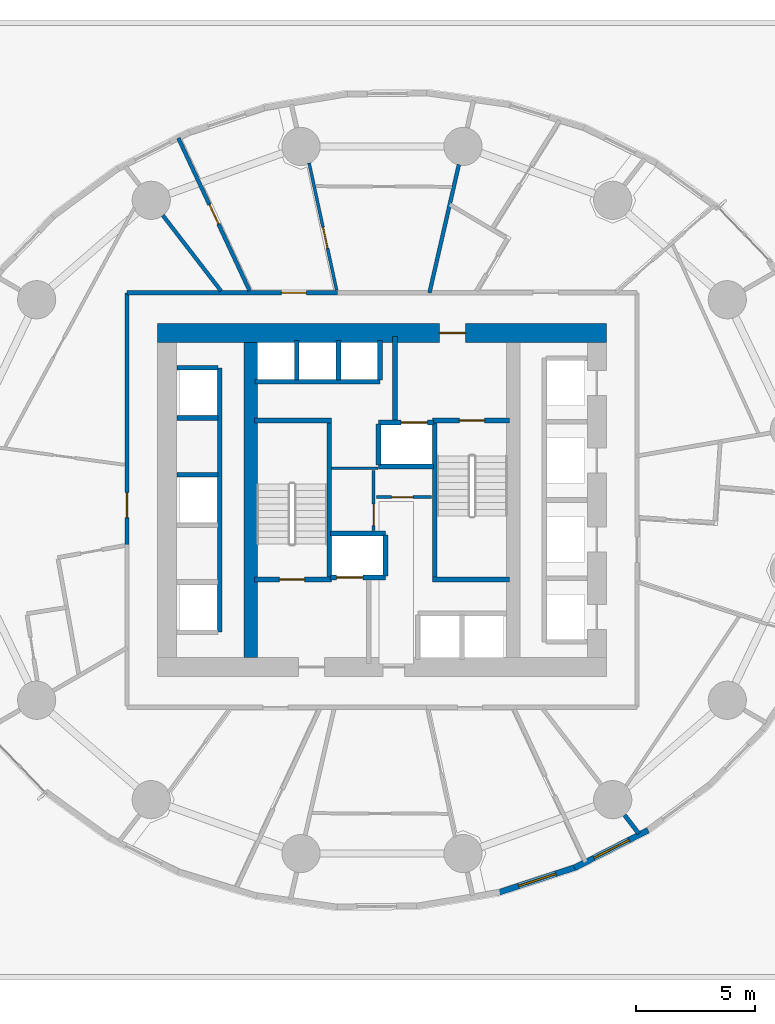
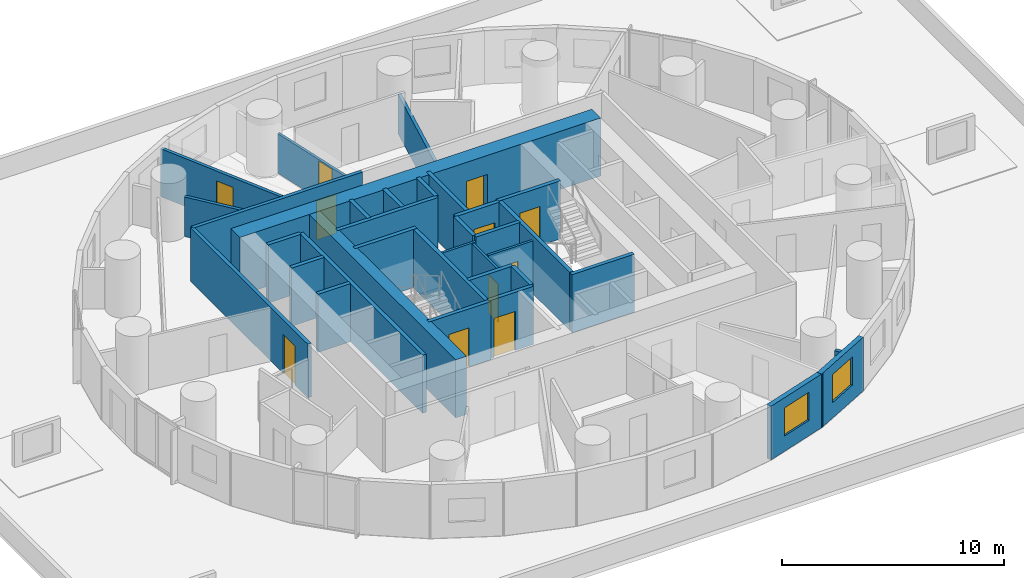
# One storey, part 7 of 12: 35 walls, 11 doors, 2 windows, 13 openings.
"""IFC4 building model written with IfcOpenShell, lengths in metres."""

from ifc_helpers import new_model, si_unit, direction, frame, frame_2d, origin, place, context, subcontext, project, spatial, rectangle, extrude, material, layer, layer_set, type_object, element, fill, save


model = new_model("IFC4")

# Units and contexts
model_context = context("Model", 3, precision=1e-05, world=origin(), true_north=direction((0.0, 1.0)))
body_context = subcontext(model_context, "Body", "Model", "MODEL_VIEW")
ifc_project = project(units=[si_unit("LENGTHUNIT", "METRE"), si_unit("AREAUNIT", "SQUARE_METRE"), si_unit("VOLUMEUNIT", "CUBIC_METRE"), si_unit("PLANEANGLEUNIT", "RADIAN"), si_unit("MASSUNIT", "GRAM", prefix="KILO")], contexts=[model_context])

# Site, building, storey
site_placement = place(None, origin())
site = spatial("IfcSite", under=ifc_project, at=site_placement, CompositionType="ELEMENT")
building_placement = place(site_placement, origin())
building = spatial("IfcBuilding", under=site, at=building_placement, Name="Veldorim Arch Residences", CompositionType="ELEMENT")
storey_placement = place(building_placement, frame((0.0, 0.0, 24.800048828125)))
storey = spatial("IfcBuildingStorey", under=building, at=storey_placement, Name="L06", CompositionType="ELEMENT", Elevation=24.800048828125)

# Wall, opening, door
ifc_material_1 = material(Name="Acoustic Gypsum Board", Category="gypsum")
ifc_layer_1 = layer(ifc_material_1, 0.125, Name="Acoustic Stud Room Partition Wall 125")
ifc_layer_set_1 = layer_set([ifc_layer_1], Name="Acoustic Gypsum Board")
wall_type_1 = type_object("IfcWallType", Name="Acoustic Stud Room Partition Wall 125", PredefinedType="PARTITIONING", material=ifc_layer_set_1)
wall_1_placement = place(storey_placement, frame((31.64990234375, 22.719970703125, 0.0), z_axis=(0.0, 0.0, 1.0), x_axis=(0.0, 1.0, 0.0)))
wall_1 = element("IfcWall", 1, at=wall_1_placement, inside=storey, type_object=wall_type_1, Name="L06 interior wall WL-CA-L06-1", PredefinedType="PARTITIONING", context=body_context, shape_type="SweptSolid", body=[
    extrude(rectangle(XDim=2.52001953125, YDim=0.125, at=frame_2d((1.260009765625, 0.0))), origin(), (0.0, 0.0, 1.0), 2.954833984375),
])
opening_1_placement = place(wall_1_placement, frame((0.2099609375, 0.0, 0.0)))
opening_1 = element("IfcOpeningElement", 2, at=opening_1_placement, cuts=wall_1, Name="Opening DR-SVC", PredefinedType="OPENING", context=body_context, shape_type="SweptSolid", body=[
    extrude(rectangle(XDim=0.89990234375, YDim=2.10009765625, at=frame_2d((0.449951171875, 1.050048828125))), frame((0.0, 0.072509765625, 0.0), z_axis=(0.0, -1.0, 0.0), x_axis=(1.0, 0.0, 0.0)), (0.0, 0.0, 1.0), 0.14501953125),
])
ifc_material_2 = material(Name="Fire-Rated Steel", Category="steel")
door_type_1 = type_object("IfcDoorType", Name="Riser, Shelter & Plant Room Rated Steel Door 900x2100", OperationType="SINGLE_SWING_LEFT", PredefinedType="DOOR", material=ifc_material_2)
door_1_placement = place(opening_1_placement, origin())
door_1 = element("IfcDoor", 3, at=door_1_placement, inside=storey, type_object=door_type_1, Name="L06 interior door DR-L06-CA1", OperationType="SINGLE_SWING_LEFT", OverallHeight=2.10009765625, OverallWidth=0.89990234375, PredefinedType="DOOR", context=body_context, shape_type="SweptSolid", body=[
    extrude(rectangle(XDim=0.89990234375, YDim=2.10009765625, at=frame_2d((0.449951171875, 1.050048828125))), frame((0.0, 0.02490234375, 0.0), z_axis=(0.0, -1.0, 0.0), x_axis=(1.0, 0.0, 0.0)), (0.0, 0.0, 1.0), 0.050048828125),
])
fill(opening_1, door_1)

wall_2_placement = place(storey_placement, frame((31.760009765625, 24.1201171875, 0.0), z_axis=(0.0, 0.0, 1.0), x_axis=(1.0, 0.0, 0.0)))
wall_2 = element("IfcWall", 4, at=wall_2_placement, inside=storey, type_object=wall_type_1, Name="L06 interior wall WL-CA-L06-2", PredefinedType="PARTITIONING", context=body_context, shape_type="SweptSolid", body=[
    extrude(rectangle(XDim=2.320068359375, YDim=0.125, at=frame_2d((1.16015625, 0.0))), origin(), (0.0, 0.0, 1.0), 2.954833984375),
])
opening_2_placement = place(wall_2_placement, frame((0.639892578125, 0.0, 0.0)))
opening_2 = element("IfcOpeningElement", 5, at=opening_2_placement, cuts=wall_2, Name="Opening DR-SVC", PredefinedType="OPENING", context=body_context, shape_type="SweptSolid", body=[
    extrude(rectangle(XDim=0.89990234375, YDim=2.10009765625, at=frame_2d((0.449951171875, 1.050048828125))), frame((0.0, 0.072509765625, 0.0), z_axis=(0.0, -1.0, 0.0), x_axis=(1.0, 0.0, 0.0)), (0.0, 0.0, 1.0), 0.14501953125),
])
door_2_placement = place(opening_2_placement, origin())
door_2 = element("IfcDoor", 6, at=door_2_placement, inside=storey, type_object=door_type_1, Name="L06 interior door DR-L06-CA2", OperationType="SINGLE_SWING_RIGHT", OverallHeight=2.10009765625, OverallWidth=0.89990234375, PredefinedType="DOOR", context=body_context, shape_type="SweptSolid", body=[
    extrude(rectangle(XDim=0.89990234375, YDim=2.10009765625, at=frame_2d((0.449951171875, 1.050048828125))), frame((0.0, 0.02490234375, 0.0), z_axis=(0.0, -1.0, 0.0), x_axis=(1.0, 0.0, 0.0)), (0.0, 0.0, 1.0), 0.050048828125),
])
fill(opening_2, door_2)

# Wall
wall_3_placement = place(storey_placement, frame((29.889892578125, 25.330078125, 0.0), z_axis=(0.0, 0.0, 1.0), x_axis=(1.0, 0.0, 0.0)))
element("IfcWall", 7, at=wall_3_placement, inside=storey, type_object=wall_type_1, Name="L06 interior wall WL-CA-L06-N", PredefinedType="PARTITIONING", context=body_context, shape_type="SweptSolid", body=[
    extrude(rectangle(XDim=1.940185546875, YDim=0.125, at=frame_2d((0.97021484375, 0.0))), origin(), (0.0, 0.0, 1.0), 2.954833984375),
])

# Wall, opening, door
wall_4_placement = place(storey_placement, frame((28.94580078125, 38.120849609375, 0.0), z_axis=(0.0, 0.0, 1.0), x_axis=(0.211435796324, -0.977391888667, 0.0)))
wall_4 = element("IfcWall", 8, at=wall_4_placement, inside=storey, type_object=wall_type_1, Name="L06 interior wall WL-RES-L06-029", PredefinedType="PARTITIONING", context=body_context, shape_type="SweptSolid", body=[
    extrude(rectangle(XDim=5.446533203125, YDim=0.125, at=frame_2d((2.72314453125, 0.0))), origin(), (0.0, 0.0, 1.0), 2.17822265625),
])
opening_3_placement = place(wall_4_placement, frame((2.76171875, 0.0, 0.0)))
opening_3 = element("IfcOpeningElement", 9, at=opening_3_placement, cuts=wall_4, Name="Opening DR-INT", PredefinedType="OPENING", context=body_context, shape_type="SweptSolid", body=[
    extrude(rectangle(XDim=0.89990234375, YDim=2.10009765625, at=frame_2d((0.449951171875, 1.050048828125))), frame((0.0, 0.072509765625, 0.0), z_axis=(0.0, -1.0, 0.0), x_axis=(1.0, 0.0, 0.0)), (0.0, 0.0, 1.0), 0.14501953125),
])
ifc_material_3 = material(Name="Engineered Timber", Category="wood")
door_type_2 = type_object("IfcDoorType", Name="Apartment Internal Room Timber Door 900x2100", OperationType="SINGLE_SWING_LEFT", PredefinedType="DOOR", material=ifc_material_3)
door_3_placement = place(opening_3_placement, origin())
door_3 = element("IfcDoor", 10, at=door_3_placement, inside=storey, type_object=door_type_2, Name="L06 interior door DR-RES-L06-020", OperationType="SINGLE_SWING_RIGHT", OverallHeight=2.10009765625, OverallWidth=0.89990234375, PredefinedType="DOOR", context=body_context, shape_type="SweptSolid", body=[
    extrude(rectangle(XDim=0.89990234375, YDim=2.10009765625, at=frame_2d((0.449951171875, 1.050048828125))), frame((0.0, 0.02490234375, 0.0), z_axis=(0.0, -1.0, 0.0), x_axis=(1.0, 0.0, 0.0)), (0.0, 0.0, 1.0), 0.050048828125),
])
fill(opening_3, door_3)

# Wall
ifc_material_4 = material(Name="Lightweight Masonry Block & Gypsum", Category="masonry")
ifc_layer_2 = layer(ifc_material_4, 0.179931640625, Name="Compartment & Corridor Fire-Rated Party Wall 180")
ifc_layer_set_2 = layer_set([ifc_layer_2], Name="Lightweight Masonry Block & Gypsum")
wall_type_2 = type_object("IfcWallType", Name="Compartment & Corridor Fire-Rated Party Wall 180", PredefinedType="PARTITIONING", material=ifc_layer_set_2)
wall_5_placement = place(storey_placement, frame((42.167236328125, 10.795166015625, 0.0), z_axis=(0.0, 0.0, 1.0), x_axis=(0.609953343804, -0.792437327732, 0.0)))
element("IfcWall", 11, at=wall_5_placement, inside=storey, type_object=wall_type_2, Name="L06 interior wall WL-PIER-L06-14", PredefinedType="PARTITIONING", context=body_context, shape_type="SweptSolid", body=[
    extrude(rectangle(XDim=0.97265625, YDim=0.179931640625, at=frame_2d((0.486328125, 0.0))), origin(), (0.0, 0.0, 1.0), 2.17822265625),
])

# Wall, opening, door
wall_6_placement = place(storey_placement, frame((21.320068359375, 32.679931640625, 0.0), z_axis=(0.0, 0.0, 1.0), x_axis=(1.0, 0.0, 0.0)))
wall_6 = element("IfcWall", 12, at=wall_6_placement, inside=storey, type_object=wall_type_2, Name="L06 interior wall WL-RES-L06-006", PredefinedType="PARTITIONING", context=body_context, shape_type="SweptSolid", body=[
    extrude(rectangle(XDim=8.822509765625, YDim=0.179931640625, at=frame_2d((4.4111328125, 0.0))), origin(), (0.0, 0.0, 1.0), 2.954833984375),
])
opening_4_placement = place(wall_6_placement, frame((6.461669921875, 0.0, 0.0)))
opening_4 = element("IfcOpeningElement", 13, at=opening_4_placement, cuts=wall_6, Name="Opening DR-FLT", PredefinedType="OPENING", context=body_context, shape_type="SweptSolid", body=[
    extrude(rectangle(XDim=1.050048828125, YDim=2.14990234375, at=frame_2d((0.52490234375, 1.074951171875))), frame((0.0, 0.099853515625, 0.0), z_axis=(0.0, -1.0, 0.0), x_axis=(1.0, 0.0, 0.0)), (0.0, 0.0, 1.0), 0.199951171875),
])
ifc_material_5 = material(Name="Fire-Rated Timber", Category="wood")
door_type_3 = type_object("IfcDoorType", Name="Apartment Entrance Solid-Core Fire Door 1050x2150", OperationType="SINGLE_SWING_LEFT", PredefinedType="DOOR", material=ifc_material_5)
door_4_placement = place(opening_4_placement, origin())
door_4 = element("IfcDoor", 14, at=door_4_placement, inside=storey, type_object=door_type_3, Name="L06 interior door DR-RES-L06-018", OperationType="SINGLE_SWING_RIGHT", OverallHeight=2.14990234375, OverallWidth=1.050048828125, PredefinedType="DOOR", context=body_context, shape_type="SweptSolid", body=[
    extrude(rectangle(XDim=1.050048828125, YDim=2.14990234375, at=frame_2d((0.52490234375, 1.074951171875))), frame((0.0, 0.02490234375, 0.0), z_axis=(0.0, -1.0, 0.0), x_axis=(1.0, 0.0, 0.0)), (0.0, 0.0, 1.0), 0.050048828125),
])
fill(opening_4, door_4)

wall_7_placement = place(storey_placement, frame((21.320068359375, 22.090087890625, 0.0), z_axis=(0.0, 0.0, 1.0), x_axis=(0.0, 1.0, 0.0)))
wall_7 = element("IfcWall", 15, at=wall_7_placement, inside=storey, type_object=wall_type_2, Name="L06 interior wall WL-RES-L06-007", PredefinedType="PARTITIONING", context=body_context, shape_type="SweptSolid", body=[
    extrude(rectangle(XDim=10.58984375, YDim=0.179931640625, at=frame_2d((5.294921875, 0.0))), origin(), (0.0, 0.0, 1.0), 2.954833984375),
])
opening_5_placement = place(wall_7_placement, frame((1.17041015625, 0.0, 0.0)))
opening_5 = element("IfcOpeningElement", 16, at=opening_5_placement, cuts=wall_7, Name="Opening DR-FLT", PredefinedType="OPENING", context=body_context, shape_type="SweptSolid", body=[
    extrude(rectangle(XDim=1.050048828125, YDim=2.14990234375, at=frame_2d((0.52490234375, 1.074951171875))), frame((0.0, 0.099853515625, 0.0), z_axis=(0.0, -1.0, 0.0), x_axis=(1.0, 0.0, 0.0)), (0.0, 0.0, 1.0), 0.199951171875),
])
door_5_placement = place(opening_5_placement, origin())
door_5 = element("IfcDoor", 17, at=door_5_placement, inside=storey, type_object=door_type_3, Name="L06 interior door DR-RES-L06-022", OperationType="SINGLE_SWING_RIGHT", OverallHeight=2.14990234375, OverallWidth=1.050048828125, PredefinedType="DOOR", context=body_context, shape_type="SweptSolid", body=[
    extrude(rectangle(XDim=1.050048828125, YDim=2.14990234375, at=frame_2d((0.52490234375, 1.074951171875))), frame((0.0, 0.02490234375, 0.0), z_axis=(0.0, -1.0, 0.0), x_axis=(1.0, 0.0, 0.0)), (0.0, 0.0, 1.0), 0.050048828125),
])
fill(opening_5, door_5)

# Walls
ifc_material_6 = material(Name="Concrete C50/60", Category="concrete")
ifc_layer_3 = layer(ifc_material_6, 0.199951171875, Name="Core Stair & Lift Shaft Enclosure Wall 200")
ifc_layer_set_3 = layer_set([ifc_layer_3], Name="Concrete C50/60")
wall_type_3 = type_object("IfcWallType", Name="Core Stair & Lift Shaft Enclosure Wall 200", PredefinedType="SHEAR", material=ifc_layer_set_3)
wall_8_placement = place(storey_placement, frame((29.7900390625, 20.780029296875, 0.0), z_axis=(0.0, 0.0, 1.0), x_axis=(0.0, 1.0, 0.0)))
element("IfcWall", 18, at=wall_8_placement, inside=storey, type_object=wall_type_3, Name="L06 shaft wall WL-SHF-L06-ST1-E", PredefinedType="SHEAR", context=body_context, shape_type="SweptSolid", body=[
    extrude(rectangle(XDim=6.43994140625, YDim=0.199951171875, at=frame_2d((3.219970703125, 0.0))), origin(), (0.0, 0.0, 1.0), 3.199951171875),
])
wall_9_placement = place(storey_placement, frame((26.64990234375, 27.330078125, 0.0), z_axis=(0.0, 0.0, 1.0), x_axis=(1.0, 0.0, 0.0)))
element("IfcWall", 19, at=wall_9_placement, inside=storey, type_object=wall_type_3, Name="L06 shaft wall WL-SHF-L06-ST1-N", PredefinedType="SHEAR", context=body_context, shape_type="SweptSolid", body=[
    extrude(rectangle(XDim=3.239990234375, YDim=0.199951171875, at=frame_2d((1.6201171875, 0.0))), origin(), (0.0, 0.0, 1.0), 3.199951171875),
])

# Wall, opening, door
wall_10_placement = place(storey_placement, frame((26.64990234375, 20.669921875, 0.0), z_axis=(0.0, 0.0, 1.0), x_axis=(1.0, 0.0, 0.0)))
wall_10 = element("IfcWall", 20, at=wall_10_placement, inside=storey, type_object=wall_type_3, Name="L06 shaft wall WL-SHF-L06-ST1-S", PredefinedType="SHEAR", context=body_context, shape_type="SweptSolid", body=[
    extrude(rectangle(XDim=3.239990234375, YDim=0.199951171875, at=frame_2d((1.6201171875, 0.0))), origin(), (0.0, 0.0, 1.0), 3.199951171875),
])
opening_6_placement = place(wall_10_placement, frame((1.054931640625, 0.0, 0.0)))
opening_6 = element("IfcOpeningElement", 21, at=opening_6_placement, cuts=wall_10, Name="Opening DR-ST", PredefinedType="OPENING", context=body_context, shape_type="SweptSolid", body=[
    extrude(rectangle(XDim=1.050048828125, YDim=2.14990234375, at=frame_2d((0.52490234375, 1.074951171875))), frame((0.0, 0.10986328125, 0.0), z_axis=(0.0, -1.0, 0.0), x_axis=(1.0, 0.0, 0.0)), (0.0, 0.0, 1.0), 0.219970703125),
])
ifc_material_7 = material(Name="Fire-Rated Steel", Category="steel")
door_type_4 = type_object("IfcDoorType", Name="Exit Staircase Self-Closing Fire Door 1050x2150", OperationType="SINGLE_SWING_LEFT", PredefinedType="DOOR", material=ifc_material_7)
door_6_placement = place(opening_6_placement, origin())
door_6 = element("IfcDoor", 22, at=door_6_placement, inside=storey, type_object=door_type_4, Name="L06 interior door DR-L06-ST1", OperationType="SINGLE_SWING_LEFT", OverallHeight=2.14990234375, OverallWidth=1.050048828125, PredefinedType="DOOR", context=body_context, shape_type="SweptSolid", body=[
    extrude(rectangle(XDim=1.050048828125, YDim=2.14990234375, at=frame_2d((0.52490234375, 1.074951171875))), frame((0.0, 0.02490234375, 0.0), z_axis=(0.0, -1.0, 0.0), x_axis=(1.0, 0.0, 0.0)), (0.0, 0.0, 1.0), 0.050048828125),
])
fill(opening_6, door_6)

# Walls
wall_11_placement = place(storey_placement, frame((34.2099609375, 20.780029296875, 0.0), z_axis=(0.0, 0.0, 1.0), x_axis=(0.0, 1.0, 0.0)))
element("IfcWall", 23, at=wall_11_placement, inside=storey, type_object=wall_type_3, Name="L06 shaft wall WL-SHF-L06-ST2-W", PredefinedType="SHEAR", context=body_context, shape_type="SweptSolid", body=[
    extrude(rectangle(XDim=6.43994140625, YDim=0.199951171875, at=frame_2d((3.219970703125, 0.0))), origin(), (0.0, 0.0, 1.0), 3.199951171875),
])
wall_12_placement = place(storey_placement, frame((34.110107421875, 20.669921875, 0.0), z_axis=(0.0, 0.0, 1.0), x_axis=(1.0, 0.0, 0.0)))
element("IfcWall", 24, at=wall_12_placement, inside=storey, type_object=wall_type_3, Name="L06 shaft wall WL-SHF-L06-ST2-S", PredefinedType="SHEAR", context=body_context, shape_type="SweptSolid", body=[
    extrude(rectangle(XDim=3.239990234375, YDim=0.199951171875, at=frame_2d((1.6201171875, 0.0))), origin(), (0.0, 0.0, 1.0), 3.199951171875),
])

# Wall, opening, door
wall_13_placement = place(storey_placement, frame((34.110107421875, 27.330078125, 0.0), z_axis=(0.0, 0.0, 1.0), x_axis=(1.0, 0.0, 0.0)))
wall_13 = element("IfcWall", 25, at=wall_13_placement, inside=storey, type_object=wall_type_3, Name="L06 shaft wall WL-SHF-L06-ST2-N", PredefinedType="SHEAR", context=body_context, shape_type="SweptSolid", body=[
    extrude(rectangle(XDim=3.239990234375, YDim=0.199951171875, at=frame_2d((1.6201171875, 0.0))), origin(), (0.0, 0.0, 1.0), 3.199951171875),
])
opening_7_placement = place(wall_13_placement, frame((1.135009765625, 0.0, 0.0)))
opening_7 = element("IfcOpeningElement", 26, at=opening_7_placement, cuts=wall_13, Name="Opening DR-ST", PredefinedType="OPENING", context=body_context, shape_type="SweptSolid", body=[
    extrude(rectangle(XDim=1.050048828125, YDim=2.14990234375, at=frame_2d((0.52490234375, 1.074951171875))), frame((0.0, 0.10986328125, 0.0), z_axis=(0.0, -1.0, 0.0), x_axis=(1.0, 0.0, 0.0)), (0.0, 0.0, 1.0), 0.219970703125),
])
door_7_placement = place(opening_7_placement, origin())
door_7 = element("IfcDoor", 27, at=door_7_placement, inside=storey, type_object=door_type_4, Name="L06 interior door DR-L06-ST2", OperationType="SINGLE_SWING_RIGHT", OverallHeight=2.14990234375, OverallWidth=1.050048828125, PredefinedType="DOOR", context=body_context, shape_type="SweptSolid", body=[
    extrude(rectangle(XDim=1.050048828125, YDim=2.14990234375, at=frame_2d((0.52490234375, 1.074951171875))), frame((0.0, 0.02490234375, 0.0), z_axis=(0.0, -1.0, 0.0), x_axis=(1.0, 0.0, 0.0)), (0.0, 0.0, 1.0), 0.050048828125),
])
fill(opening_7, door_7)

# Wall
wall_14_placement = place(storey_placement, frame((32.550048828125, 27.35009765625, 0.0), z_axis=(0.0, 0.0, 1.0), x_axis=(0.0, 1.0, 0.0)))
element("IfcWall", 28, at=wall_14_placement, inside=storey, type_object=wall_type_3, Name="L06 shaft wall WL-FFL2-L06-W", PredefinedType="SHEAR", context=body_context, shape_type="SweptSolid", body=[
    extrude(rectangle(XDim=3.5, YDim=0.199951171875, at=frame_2d((1.75, 0.0))), origin(), (0.0, 0.0, 1.0), 3.199951171875),
])

# Wall, opening, door
wall_15_placement = place(storey_placement, frame((29.85009765625, 20.75, 0.0), z_axis=(0.0, 0.0, 1.0), x_axis=(1.0, 0.0, 0.0)))
wall_15 = element("IfcWall", 29, at=wall_15_placement, inside=storey, type_object=wall_type_3, Name="L06 shaft wall WL-FL01-L06-S", PredefinedType="SHEAR", context=body_context, shape_type="SweptSolid", body=[
    extrude(rectangle(XDim=2.2998046875, YDim=0.199951171875, at=frame_2d((1.14990234375, 0.0))), origin(), (0.0, 0.0, 1.0), 3.199951171875),
])
opening_8_placement = place(wall_15_placement, frame((0.25, 0.0, 0.0)))
opening_8 = element("IfcOpeningElement", 30, at=opening_8_placement, cuts=wall_15, Name="Opening LD-FF", PredefinedType="OPENING", context=body_context, shape_type="SweptSolid", body=[
    extrude(rectangle(XDim=1.10009765625, YDim=2.14990234375, at=frame_2d((0.550048828125, 1.074951171875))), frame((0.0, 0.10986328125, 0.0), z_axis=(0.0, -1.0, 0.0), x_axis=(1.0, 0.0, 0.0)), (0.0, 0.0, 1.0), 0.219970703125),
])
ifc_material_8 = material(Name="Stainless Steel", Category="steel")
door_type_5 = type_object("IfcDoorType", Name="Firefighting Lift Bi-Parting Sliding Landing Door 1100x2150", OperationType="DOUBLE_DOOR_SLIDING", PredefinedType="DOOR", material=ifc_material_8)
door_8_placement = place(opening_8_placement, origin())
door_8 = element("IfcDoor", 31, at=door_8_placement, inside=storey, type_object=door_type_5, Name="L06 lift landing door LD-L06-FL01", OperationType="DOUBLE_DOOR_SLIDING", OverallHeight=2.14990234375, OverallWidth=1.10009765625, PredefinedType="DOOR", context=body_context, shape_type="SweptSolid", body=[
    extrude(rectangle(XDim=1.10009765625, YDim=2.14990234375, at=frame_2d((0.550048828125, 1.074951171875))), frame((0.0, 0.02490234375, 0.0), z_axis=(0.0, -1.0, 0.0), x_axis=(1.0, 0.0, 0.0)), (0.0, 0.0, 1.0), 0.050048828125),
])
fill(opening_8, door_8)

# Walls
wall_16_placement = place(storey_placement, frame((29.85009765625, 22.60009765625, 0.0), z_axis=(0.0, 0.0, 1.0), x_axis=(1.0, 0.0, 0.0)))
element("IfcWall", 32, at=wall_16_placement, inside=storey, type_object=wall_type_3, Name="L06 shaft wall WL-FL01-L06-N", PredefinedType="SHEAR", context=body_context, shape_type="SweptSolid", body=[
    extrude(rectangle(XDim=2.2998046875, YDim=0.199951171875, at=frame_2d((1.14990234375, 0.0))), origin(), (0.0, 0.0, 1.0), 3.199951171875),
])
wall_17_placement = place(storey_placement, frame((32.14990234375, 20.820068359375, 0.0), z_axis=(0.0, 0.0, 1.0), x_axis=(0.0, 1.0, 0.0)))
element("IfcWall", 33, at=wall_17_placement, inside=storey, type_object=wall_type_3, Name="L06 shaft wall WL-FL01-L06-E", PredefinedType="SHEAR", context=body_context, shape_type="SweptSolid", body=[
    extrude(rectangle(XDim=1.7099609375, YDim=0.199951171875, at=frame_2d((0.85498046875, 0.0))), origin(), (0.0, 0.0, 1.0), 3.199951171875),
])

# Wall, opening, door
wall_18_placement = place(storey_placement, frame((31.85009765625, 27.25, 0.0), z_axis=(0.0, 0.0, 1.0), x_axis=(1.0, 0.0, 0.0)))
wall_18 = element("IfcWall", 34, at=wall_18_placement, inside=storey, type_object=wall_type_3, Name="L06 shaft wall WL-FL02-L06-N", PredefinedType="SHEAR", context=body_context, shape_type="SweptSolid", body=[
    extrude(rectangle(XDim=2.2998046875, YDim=0.199951171875, at=frame_2d((1.14990234375, 0.0))), origin(), (0.0, 0.0, 1.0), 3.199951171875),
])
opening_9_placement = place(wall_18_placement, frame((0.949951171875, 0.0, 0.0)))
opening_9 = element("IfcOpeningElement", 35, at=opening_9_placement, cuts=wall_18, Name="Opening LD-FF", PredefinedType="OPENING", context=body_context, shape_type="SweptSolid", body=[
    extrude(rectangle(XDim=1.10009765625, YDim=2.14990234375, at=frame_2d((0.550048828125, 1.074951171875))), frame((0.0, 0.10986328125, 0.0), z_axis=(0.0, -1.0, 0.0), x_axis=(1.0, 0.0, 0.0)), (0.0, 0.0, 1.0), 0.219970703125),
])
door_9_placement = place(opening_9_placement, origin())
door_9 = element("IfcDoor", 36, at=door_9_placement, inside=storey, type_object=door_type_5, Name="L06 lift landing door LD-L06-FL02", OperationType="DOUBLE_DOOR_SLIDING", OverallHeight=2.14990234375, OverallWidth=1.10009765625, PredefinedType="DOOR", context=body_context, shape_type="SweptSolid", body=[
    extrude(rectangle(XDim=1.10009765625, YDim=2.14990234375, at=frame_2d((0.550048828125, 1.074951171875))), frame((0.0, 0.02490234375, 0.0), z_axis=(0.0, -1.0, 0.0), x_axis=(1.0, 0.0, 0.0)), (0.0, 0.0, 1.0), 0.050048828125),
])
fill(opening_9, door_9)

# Walls
wall_19_placement = place(storey_placement, frame((31.85009765625, 25.39990234375, 0.0), z_axis=(0.0, 0.0, 1.0), x_axis=(1.0, 0.0, 0.0)))
element("IfcWall", 37, at=wall_19_placement, inside=storey, type_object=wall_type_3, Name="L06 shaft wall WL-FL02-L06-S", PredefinedType="SHEAR", context=body_context, shape_type="SweptSolid", body=[
    extrude(rectangle(XDim=2.2998046875, YDim=0.199951171875, at=frame_2d((1.14990234375, 0.0))), origin(), (0.0, 0.0, 1.0), 3.199951171875),
])
wall_20_placement = place(storey_placement, frame((31.85009765625, 25.469970703125, 0.0), z_axis=(0.0, 0.0, 1.0), x_axis=(0.0, 1.0, 0.0)))
element("IfcWall", 38, at=wall_20_placement, inside=storey, type_object=wall_type_3, Name="L06 shaft wall WL-FL02-L06-W", PredefinedType="SHEAR", context=body_context, shape_type="SweptSolid", body=[
    extrude(rectangle(XDim=1.7099609375, YDim=0.199951171875, at=frame_2d((0.85498046875, 0.0))), origin(), (0.0, 0.0, 1.0), 3.199951171875),
])
wall_21_placement = place(storey_placement, frame((25.199951171875, 18.4599609375, 0.0), z_axis=(0.0, 0.0, 1.0), x_axis=(0.0, 1.0, 0.0)))
element("IfcWall", 39, at=wall_21_placement, inside=storey, type_object=wall_type_3, Name="L06 shaft wall WL-B2-L06-E", PredefinedType="SHEAR", context=body_context, shape_type="SweptSolid", body=[
    extrude(rectangle(XDim=11.080078125, YDim=0.199951171875, at=frame_2d((5.5400390625, 0.0))), origin(), (0.0, 0.0, 1.0), 3.199951171875),
])
for number, where, z_axis, x_axis, name in (
    (40, (23.419921875, 29.5400390625, 0.0), (0.0, 0.0, 1.0), (1.0, 0.0, 0.0), "L06 shaft wall WL-B2-L06-N"),
    (41, (23.419921875, 25.06005859375, 0.0), (0.0, 0.0, 1.0), (1.0, 0.0, 0.0), "L06 shaft wall WL-B2-L06-D2A"),
    (42, (23.419921875, 27.43994140625, 0.0), (0.0, 0.0, 1.0), (1.0, 0.0, 0.0), "L06 shaft wall WL-B2-L06-D2B"),
):
    element("IfcWall", number, at=place(storey_placement, frame(where, z_axis=z_axis, x_axis=x_axis)), inside=storey, type_object=wall_type_3, Name=name, PredefinedType="SHEAR", context=body_context, shape_type="SweptSolid", body=[
        extrude(rectangle(XDim=1.7099609375, YDim=0.199951171875, at=frame_2d((0.85498046875, 0.0))), origin(), (0.0, 0.0, 1.0), 3.199951171875),
    ])
wall_22_placement = place(storey_placement, frame((26.679931640625, 28.949951171875, 0.0), z_axis=(0.0, 0.0, 1.0), x_axis=(1.0, 0.0, 0.0)))
element("IfcWall", 43, at=wall_22_placement, inside=storey, type_object=wall_type_3, Name="L06 shaft wall WL-B3-L06-S", PredefinedType="SHEAR", context=body_context, shape_type="SweptSolid", body=[
    extrude(rectangle(XDim=5.239990234375, YDim=0.199951171875, at=frame_2d((2.6201171875, 0.0))), origin(), (0.0, 0.0, 1.0), 3.199951171875),
])
for number, where, z_axis, x_axis, name in (
    (44, (31.919921875, 29.02001953125, 0.0), (0.0, 0.0, 1.0), (0.0, 1.0, 0.0), "L06 shaft wall WL-B3-L06-E"),
    (45, (28.425048828125, 29.02001953125, 0.0), (0.0, 0.0, 1.0), (0.0, 1.0, 0.0), "L06 shaft wall WL-B3-L06-D1"),
    (46, (30.175048828125, 29.02001953125, 0.0), (0.0, 0.0, 1.0), (0.0, 1.0, 0.0), "L06 shaft wall WL-B3-L06-D2"),
):
    element("IfcWall", number, at=place(storey_placement, frame(where, z_axis=z_axis, x_axis=x_axis)), inside=storey, type_object=wall_type_3, Name=name, PredefinedType="SHEAR", context=body_context, shape_type="SweptSolid", body=[
        extrude(rectangle(XDim=1.659912109375, YDim=0.199951171875, at=frame_2d((0.830078125, 0.0))), origin(), (0.0, 0.0, 1.0), 3.199951171875),
    ])
ifc_material_9 = material(Name="Concrete C60/75", Category="concrete")
ifc_layer_4 = layer(ifc_material_9, 0.56005859375, Name="Internal Core Shear Web Wall 560")
ifc_layer_set_4 = layer_set([ifc_layer_4], Name="Concrete C60/75")
wall_type_4 = type_object("IfcWallType", Name="Internal Core Shear Web Wall 560", PredefinedType="SHEAR", material=ifc_layer_set_4)
wall_23_placement = place(storey_placement, frame((26.5, 17.39990234375, 0.0), z_axis=(0.0, 0.0, 1.0), x_axis=(0.0, 1.0, 0.0)))
element("IfcWall", 47, at=wall_23_placement, inside=storey, type_object=wall_type_4, Name="L06 core west internal shear web", PredefinedType="SHEAR", context=body_context, shape_type="SweptSolid", body=[
    extrude(rectangle(XDim=13.2001953125, YDim=0.56005859375, at=frame_2d((6.60009765625, 0.0))), origin(), (0.0, 0.0, 1.0), 3.199951171875),
])

# Wall, opening, door
ifc_material_10 = material(Name="Concrete C60/75", Category="concrete")
ifc_layer_5 = layer(ifc_material_10, 0.800048828125, Name="Lower Central Core Shear Wall 800")
ifc_layer_set_5 = layer_set([ifc_layer_5], Name="Concrete C60/75")
wall_type_5 = type_object("IfcWallType", Name="Lower Central Core Shear Wall 800", PredefinedType="SHEAR", material=ifc_layer_set_5)
wall_24_placement = place(storey_placement, frame((22.60009765625, 31.0, 0.0), z_axis=(0.0, 0.0, 1.0), x_axis=(1.0, 0.0, 0.0)))
wall_24 = element("IfcWall", 48, at=wall_24_placement, inside=storey, type_object=wall_type_5, Name="L06 central core north shear wall", PredefinedType="SHEAR", context=body_context, shape_type="SweptSolid", body=[
    extrude(rectangle(XDim=18.7998046875, YDim=0.800048828125, at=frame_2d((9.39990234375, 0.0))), origin(), (0.0, 0.0, 1.0), 3.199951171875),
])
opening_10_placement = place(wall_24_placement, frame((11.800048828125, 0.0, 0.0)))
opening_10 = element("IfcOpeningElement", 49, at=opening_10_placement, cuts=wall_24, Name="Opening DR-FFL", PredefinedType="OPENING", context=body_context, shape_type="SweptSolid", body=[
    extrude(rectangle(XDim=1.10009765625, YDim=2.14990234375, at=frame_2d((0.550048828125, 1.074951171875))), frame((0.0, 0.409912109375, 0.0), z_axis=(0.0, -1.0, 0.0), x_axis=(1.0, 0.0, 0.0)), (0.0, 0.0, 1.0), 0.820068359375),
])
ifc_material_11 = material(Name="Fire-Rated Steel & Vision Glass", Category="steel")
door_type_6 = type_object("IfcDoorType", Name="Firefighting Lobby Smoke-Stop Fire Door 1100x2150", OperationType="SINGLE_SWING_LEFT", PredefinedType="DOOR", material=ifc_material_11)
door_10_placement = place(opening_10_placement, origin())
door_10 = element("IfcDoor", 50, at=door_10_placement, inside=storey, type_object=door_type_6, Name="L06 interior door DR-L06-FFL2", OperationType="SINGLE_SWING_LEFT", OverallHeight=2.14990234375, OverallWidth=1.10009765625, PredefinedType="DOOR", context=body_context, shape_type="SweptSolid", body=[
    extrude(rectangle(XDim=1.10009765625, YDim=2.14990234375, at=frame_2d((0.550048828125, 1.074951171875))), frame((0.0, 0.02490234375, 0.0), z_axis=(0.0, -1.0, 0.0), x_axis=(1.0, 0.0, 0.0)), (0.0, 0.0, 1.0), 0.050048828125),
])
fill(opening_10, door_10)

# Wall, opening, window
ifc_material_12 = material(Name="Precast concrete C40/50", Category="concrete")
ifc_layer_6 = layer(ifc_material_12, 0.25, Name="Tower Terracotta Spandrel & Pier Wall 250")
ifc_layer_set_6 = layer_set([ifc_layer_6], Name="Precast concrete C40/50")
wall_type_6 = type_object("IfcWallType", Name="Tower Terracotta Spandrel & Pier Wall 250", PredefinedType="SOLIDWALL", material=ifc_layer_set_6)
wall_25_placement = place(storey_placement, frame((40.16943359375, 8.62744140625, 0.0), z_axis=(0.0, 0.0, 1.0), x_axis=(-0.950290237418, -0.311365484066, 0.0)))
wall_25 = element("IfcWall", 51, at=wall_25_placement, inside=storey, type_object=wall_type_6, Name="L06 terracotta facade wall 29", PredefinedType="SOLIDWALL", context=body_context, shape_type="SweptSolid", body=[
    extrude(rectangle(XDim=3.5126953125, YDim=0.25, at=frame_2d((1.75634765625, 0.0))), origin(), (0.0, 0.0, 1.0), 2.9599609375),
])
opening_11_placement = place(wall_25_placement, frame((0.930908203125, 0.0, 0.85009765625)))
opening_11 = element("IfcOpeningElement", 52, at=opening_11_placement, cuts=wall_25, Name="Opening WN-03", PredefinedType="OPENING", context=body_context, shape_type="SweptSolid", body=[
    extrude(rectangle(XDim=1.64990234375, YDim=1.550048828125, at=frame_2d((0.824951171875, 0.77490234375))), frame((0.0, 0.135009765625, 0.0), z_axis=(0.0, -1.0, 0.0), x_axis=(1.0, 0.0, 0.0)), (0.0, 0.0, 1.0), 0.27001953125),
])
ifc_material_13 = material(Name="Laminated Low-E Glass", Category="glass")
window_type = type_object("IfcWindowType", Name="Residential Wide Window 1650x1550", PartitioningType="SINGLE_PANEL", PredefinedType="WINDOW", material=ifc_material_13)
window_1_placement = place(opening_11_placement, origin())
window_1 = element("IfcWindow", 53, at=window_1_placement, inside=storey, type_object=window_type, Name="L06 solar-control facade window 29", OverallHeight=1.550048828125, OverallWidth=1.64990234375, PartitioningType="SINGLE_PANEL", PredefinedType="WINDOW", context=body_context, shape_type="SweptSolid", body=[
    extrude(rectangle(XDim=1.64990234375, YDim=1.550048828125, at=frame_2d((0.824951171875, 0.77490234375))), frame((0.0, 0.030029296875, 0.0), z_axis=(0.0, -1.0, 0.0), x_axis=(1.0, 0.0, 0.0)), (0.0, 0.0, 1.0), 0.06005859375),
])
fill(opening_11, window_1)

wall_26_placement = place(storey_placement, frame((43.1533203125, 10.16357421875, 0.0), z_axis=(0.0, 0.0, 1.0), x_axis=(-0.890260122421, -0.455452428281, 0.0)))
wall_26 = element("IfcWall", 54, at=wall_26_placement, inside=storey, type_object=wall_type_6, Name="L06 terracotta facade wall 30", PredefinedType="SOLIDWALL", context=body_context, shape_type="SweptSolid", body=[
    extrude(rectangle(XDim=3.46484375, YDim=0.25, at=frame_2d((1.732421875, 0.0))), origin(), (0.0, 0.0, 1.0), 2.9599609375),
])
opening_12_placement = place(wall_26_placement, frame((0.906982421875, 0.0, 0.85009765625)))
opening_12 = element("IfcOpeningElement", 55, at=opening_12_placement, cuts=wall_26, Name="Opening WN-03", PredefinedType="OPENING", context=body_context, shape_type="SweptSolid", body=[
    extrude(rectangle(XDim=1.64990234375, YDim=1.550048828125, at=frame_2d((0.824951171875, 0.77490234375))), frame((0.0, 0.135009765625, 0.0), z_axis=(0.0, -1.0, 0.0), x_axis=(1.0, 0.0, 0.0)), (0.0, 0.0, 1.0), 0.27001953125),
])
window_2_placement = place(opening_12_placement, origin())
window_2 = element("IfcWindow", 56, at=window_2_placement, inside=storey, type_object=window_type, Name="L06 solar-control facade window 30", OverallHeight=1.550048828125, OverallWidth=1.64990234375, PartitioningType="SINGLE_PANEL", PredefinedType="WINDOW", context=body_context, shape_type="SweptSolid", body=[
    extrude(rectangle(XDim=1.64990234375, YDim=1.550048828125, at=frame_2d((0.824951171875, 0.77490234375))), frame((0.0, 0.030029296875, 0.0), z_axis=(0.0, -1.0, 0.0), x_axis=(1.0, 0.0, 0.0)), (0.0, 0.0, 1.0), 0.06005859375),
])
fill(opening_12, window_2)

# Wall
ifc_material_14 = material(Name="Moisture-Resistant Gypsum & Stud", Category="gypsum")
ifc_layer_7 = layer(ifc_material_14, 0.159912109375, Name="Wet-Area Moisture-Resistant Plumbing Wall 160")
ifc_layer_set_7 = layer_set([ifc_layer_7], Name="Moisture-Resistant Gypsum & Stud")
wall_type_7 = type_object("IfcWallType", Name="Wet-Area Moisture-Resistant Plumbing Wall 160", PredefinedType="PLUMBINGWALL", material=ifc_layer_set_7)
wall_27_placement = place(storey_placement, frame((33.989501953125, 32.679931640625, 0.0), z_axis=(0.0, 0.0, 1.0), x_axis=(0.223393692733, 0.974728299603, 0.0)))
element("IfcWall", 57, at=wall_27_placement, inside=storey, type_object=wall_type_7, Name="L06 interior wall WL-RES-L06-026", PredefinedType="PLUMBINGWALL", context=body_context, shape_type="SweptSolid", body=[
    extrude(rectangle(XDim=5.51123046875, YDim=0.159912109375, at=frame_2d((2.755615234375, 0.0))), origin(), (0.0, 0.0, 1.0), 2.17822265625),
])

# Wall, opening, door
wall_28_placement = place(storey_placement, frame((26.450439453125, 32.7705078125, 0.0), z_axis=(0.0, 0.0, 1.0), x_axis=(-0.422745211231, 0.906248578692, 0.0)))
wall_28 = element("IfcWall", 58, at=wall_28_placement, inside=storey, type_object=wall_type_7, Name="L06 interior wall WL-RES-L06-028", PredefinedType="PLUMBINGWALL", context=body_context, shape_type="SweptSolid", body=[
    extrude(rectangle(XDim=7.052001953125, YDim=0.159912109375, at=frame_2d((3.52587890625, 0.0))), origin(), (0.0, 0.0, 1.0), 2.641357421875),
])
opening_13_placement = place(wall_28_placement, frame((3.075927734375, 0.0, 0.0)))
opening_13 = element("IfcOpeningElement", 59, at=opening_13_placement, cuts=wall_28, Name="Opening DR-WC", PredefinedType="OPENING", context=body_context, shape_type="SweptSolid", body=[
    extrude(rectangle(XDim=0.89990234375, YDim=2.10009765625, at=frame_2d((0.449951171875, 1.050048828125))), frame((0.0, 0.08984375, 0.0), z_axis=(0.0, -1.0, 0.0), x_axis=(1.0, 0.0, 0.0)), (0.0, 0.0, 1.0), 0.179931640625),
])
ifc_material_15 = material(Name="Laminate Timber", Category="wood")
door_type_7 = type_object("IfcDoorType", Name="Bathroom & Accessible WC Moisture-Sealed Door 900x2100", OperationType="SINGLE_SWING_LEFT", PredefinedType="DOOR", material=ifc_material_15)
door_11_placement = place(opening_13_placement, origin())
door_11 = element("IfcDoor", 60, at=door_11_placement, inside=storey, type_object=door_type_7, Name="L06 interior door DR-RES-L06-019", OperationType="SINGLE_SWING_LEFT", OverallHeight=2.10009765625, OverallWidth=0.89990234375, PredefinedType="DOOR", context=body_context, shape_type="SweptSolid", body=[
    extrude(rectangle(XDim=0.89990234375, YDim=2.10009765625, at=frame_2d((0.449951171875, 1.050048828125))), frame((0.0, 0.02490234375, 0.0), z_axis=(0.0, -1.0, 0.0), x_axis=(1.0, 0.0, 0.0)), (0.0, 0.0, 1.0), 0.050048828125),
])
fill(opening_13, door_11)

# Wall
wall_29_placement = place(storey_placement, frame((25.255859375, 32.75927734375, 0.0), z_axis=(0.0, 0.0, 1.0), x_axis=(-0.610097434882, 0.792326397358, 0.0)))
element("IfcWall", 61, at=wall_29_placement, inside=storey, type_object=wall_type_7, Name="L06 interior wall WL-RES-L06-030", PredefinedType="PLUMBINGWALL", context=body_context, shape_type="SweptSolid", body=[
    extrude(rectangle(XDim=3.99658203125, YDim=0.159912109375, at=frame_2d((1.998291015625, 0.0))), origin(), (0.0, 0.0, 1.0), 2.17822265625),
])

save(model, "model.ifc")
